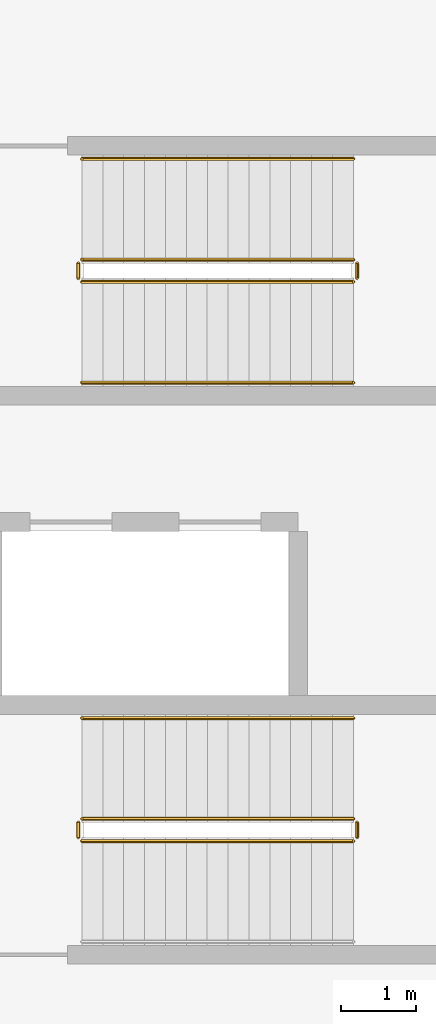
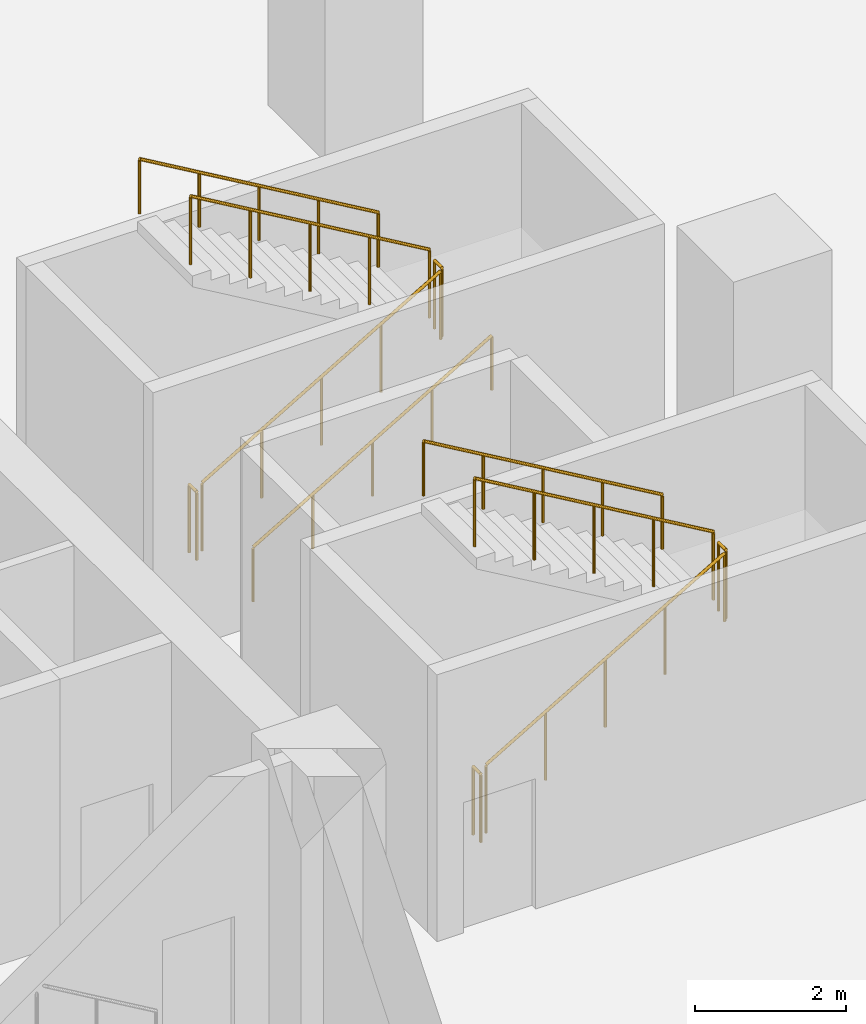
# One storey, part 10 of 11: 11 railings.
"""IFC4 building model written with IfcOpenShell, lengths in metres."""

import ifcopenshell
import ifcopenshell.guid

model = None  # the IFC model being written
_history = None  # IfcOwnerHistory: only IFC2X3 demands one
_inside = {}  # id of a spatial element -> (the spatial element, [elements in it])
_under = {}  # id of a project, library or spatial element -> (it, [spatial elements below it])
_declared = {}  # id of a project -> (the project, [libraries it declares])
_typed = {}  # id of a type object -> (the type object, [elements of that type])
_made_of = {}  # id of a material, layer set ... -> (it, [elements and type objects made of it])


def new_model(schema):
    """Start an empty IFC model of exactly this schema.

    Asked for "IFC4X3", IfcOpenShell would pick the latest addendum, in which some entities
    have other attributes; the version numbers below select the first issue.
    IFC2X3 requires an IfcOwnerHistory on every rooted entity: one is made here for all.
    """
    global model, _history
    if schema == "IFC4X3":
        model = ifcopenshell.file(schema_version=(4, 3, 0, 0))
    else:
        model = ifcopenshell.file(schema=schema)
    _inside.clear()
    _under.clear()
    _declared.clear()
    _typed.clear()
    _made_of.clear()
    _history = None
    if model.schema == "IFC2X3":
        org = make("IfcOrganization", Name="unknown")
        user = make(
            "IfcPersonAndOrganization",
            ThePerson=make("IfcPerson", FamilyName="unknown"),
            TheOrganization=org,
        )
        app = make(
            "IfcApplication",
            ApplicationDeveloper=org,
            Version="unknown",
            ApplicationFullName="unknown",
            ApplicationIdentifier="unknown",
        )
        _history = make(
            "IfcOwnerHistory",
            OwningUser=user,
            OwningApplication=app,
            ChangeAction="ADDED",
            CreationDate=0,
        )
    return model


def make(cls, **values):
    """One entity of the class cls with the attributes given. An attribute that is None is left unset."""
    return model.create_entity(
        cls, **{name: value for name, value in values.items() if value is not None}
    )


def rooted(cls, **values):
    """An entity with a GlobalId (a new one), such as an element, a storey or a relation."""
    return make(cls, GlobalId=ifcopenshell.guid.new(), OwnerHistory=_history, **values)


def si_unit(unit_type, name, prefix=None):
    """IfcSIUnit, for example si_unit("LENGTHUNIT", "METRE", prefix="MILLI")."""
    return make("IfcSIUnit", UnitType=unit_type, Prefix=prefix, Name=name)


def assignment(units):
    """IfcUnitAssignment: the units of a project."""
    return None if units is None else make("IfcUnitAssignment", Units=units)


def point(xyz):
    """IfcCartesianPoint."""
    return None if xyz is None else make("IfcCartesianPoint", Coordinates=xyz)


def direction(xyz):
    """IfcDirection."""
    return None if xyz is None else make("IfcDirection", DirectionRatios=xyz)


def frame(location, z_axis=None, x_axis=None):
    """IfcAxis2Placement3D, a coordinate frame: its origin and axes. An axis left out is left unset."""
    return make(
        "IfcAxis2Placement3D",
        Location=point(location),
        Axis=direction(z_axis),
        RefDirection=direction(x_axis),
    )


def frame_2d(location, x_axis=None):
    """IfcAxis2Placement2D, a coordinate frame in the plane: its origin and x axis."""
    return make(
        "IfcAxis2Placement2D", Location=point(location), RefDirection=direction(x_axis)
    )


def origin():
    """The frame at (0, 0, 0) with its axes left unset."""
    return frame((0.0, 0.0, 0.0))


def origin_2d():
    """The frame at (0, 0) in the plane with its x axis left unset."""
    return frame_2d((0.0, 0.0))


def place(relative_to, where):
    """IfcLocalPlacement: puts the frame where relative to a parent placement (None: the world)."""
    return make(
        "IfcLocalPlacement", PlacementRelTo=relative_to, RelativePlacement=where
    )


def context(
    kind, dimensions, precision=None, world=None, true_north=None, identifier=None
):
    """IfcGeometricRepresentationContext, for example the 3D "Model" context."""
    return make(
        "IfcGeometricRepresentationContext",
        ContextIdentifier=identifier,
        ContextType=kind,
        CoordinateSpaceDimension=dimensions,
        Precision=precision,
        WorldCoordinateSystem=world,
        TrueNorth=true_north,
    )


def subcontext(parent, identifier, kind, view, scale=None):
    """IfcGeometricRepresentationSubContext, for example "Body" below "Model"."""
    return make(
        "IfcGeometricRepresentationSubContext",
        ContextIdentifier=identifier,
        ContextType=kind,
        ParentContext=parent,
        TargetScale=scale,
        TargetView=view,
    )


def project(units=None, contexts=None):
    """IfcProject with its units and contexts."""
    return rooted(
        "IfcProject",
        Name="project",
        RepresentationContexts=contexts,
        UnitsInContext=assignment(units),
    )


def spatial(cls, under=None, at=None, **own):
    """A site, building, storey or space (cls), placed at a placement, below another one or the project."""
    s = rooted(cls, ObjectPlacement=at, **own)
    if under is not None:
        _under.setdefault(under.id(), (under, []))[1].append(s)
    return s


def profile(cls, at=None, kind="AREA", **sizes):
    """A parametric profile (cls). Its sizes go by their IFC names, for example OverallWidth=200.0."""
    return make(cls, ProfileType=kind, Position=at, **sizes)


def circle(**sizes):
    """IfcCircleProfileDef."""
    return profile("IfcCircleProfileDef", **sizes)


def extrude(swept, where, along, depth):
    """IfcExtrudedAreaSolid: the profile swept, set in the frame where, extruded along a direction by depth."""
    return make(
        "IfcExtrudedAreaSolid",
        SweptArea=swept,
        Position=where,
        ExtrudedDirection=direction(along),
        Depth=depth,
    )


def shape(context_of_items, identifier, shape_type, items):
    """IfcShapeRepresentation: the items that make up one representation, for example the "Body"."""
    return make(
        "IfcShapeRepresentation",
        ContextOfItems=context_of_items,
        RepresentationIdentifier=identifier,
        RepresentationType=shape_type,
        Items=items,
    )


def material(Name=None, Category=None):
    """IfcMaterial."""
    return make("IfcMaterial", Name=Name, Category=Category)


def made_of(thing, what):
    """Note that an element or type object is made of a material, layer set ...; save() writes the relation."""
    if what is not None:
        _made_of.setdefault(what.id(), (what, []))[1].append(thing)
    return thing


def type_object(cls, material=None, **own):
    """A type object (cls), such as IfcWallType, which elements share."""
    return made_of(rooted(cls, **own), material)


def element(
    cls,
    number,
    at=None,
    inside=None,
    cuts=None,
    type_object=None,
    material=None,
    context=None,
    identifier="Body",
    shape_type=None,
    held_by="IfcProductDefinitionShape",
    body=None,
    shapes=None,
    **own,
):
    """One element of the class cls, such as IfcWall. Its Tag is "e" and its number.

    at: its placement. inside: the storey or other place that contains it. cuts: it is an
    opening in that element (IfcRelVoidsElement). A single representation is given by context,
    identifier, shape_type and body (its items); several are given by shapes. held_by: the class
    of the entity that holds the representations. save() writes the other relations.
    """
    e = rooted(cls, Tag="e%d" % number, ObjectPlacement=at, **own)
    if body is not None:
        shapes = [shape(context, identifier, shape_type, body)]
    if shapes is not None:
        e.Representation = make(held_by, Representations=shapes)
    if inside is not None:
        _inside.setdefault(inside.id(), (inside, []))[1].append(e)
    if cuts is not None:
        rooted(
            "IfcRelVoidsElement", RelatingBuildingElement=cuts, RelatedOpeningElement=e
        )
    if type_object is not None:
        _typed.setdefault(type_object.id(), (type_object, []))[1].append(e)
    return made_of(e, material)


def aggregate(whole, parts):
    """IfcRelAggregates: a whole, such as a stair, and the parts it consists of."""
    return rooted("IfcRelAggregates", RelatingObject=whole, RelatedObjects=parts)


def save(model, path):
    """Write the relations noted so far, then the file.

    IfcRelAggregates (storeys below a building ...), IfcRelContainedInSpatialStructure (elements
    in a storey), IfcRelDefinesByType, IfcRelAssociatesMaterial and IfcRelDeclares: one each for
    every whole, place, type object, material and project.
    """
    for whole, parts in _under.values():
        aggregate(whole, parts)
    for where, things in _inside.values():
        rooted(
            "IfcRelContainedInSpatialStructure",
            RelatedElements=things,
            RelatingStructure=where,
        )
    for kind, things in _typed.values():
        rooted("IfcRelDefinesByType", RelatedObjects=things, RelatingType=kind)
    for what, things in _made_of.values():
        rooted("IfcRelAssociatesMaterial", RelatedObjects=things, RelatingMaterial=what)
    for by, libraries in _declared.values():
        rooted("IfcRelDeclares", RelatingContext=by, RelatedDefinitions=libraries)
    model.write(path)


model = new_model("IFC4")

# Units and contexts
model_context = context("Model", 3, precision=1e-05, world=origin(), true_north=direction((0.0, 1.0)))
body_context = subcontext(model_context, "Body", "Model", "MODEL_VIEW")
ifc_project = project(units=[si_unit("LENGTHUNIT", "METRE"), si_unit("AREAUNIT", "SQUARE_METRE"), si_unit("VOLUMEUNIT", "CUBIC_METRE"), si_unit("PLANEANGLEUNIT", "RADIAN"), si_unit("MASSUNIT", "GRAM", prefix="KILO")], contexts=[model_context])

# Site, building, storey
site_placement = place(None, origin())
site = spatial("IfcSite", under=ifc_project, at=site_placement, CompositionType="ELEMENT")
building_placement = place(site_placement, origin())
building = spatial("IfcBuilding", under=site, at=building_placement, Name="Solnavia Interchange Tower", CompositionType="ELEMENT")
storey_placement = place(building_placement, frame((0.0, 0.0, 14.800048828125)))
storey = spatial("IfcBuildingStorey", under=building, at=storey_placement, Name="L03", CompositionType="ELEMENT", Elevation=14.800048828125)

# Railings
ifc_material_1 = material(Name="Painted Steel Balustrade", Category="steel")
railing_type_1 = type_object("IfcRailingType", Name="Railing-StairGuard-1100", PredefinedType="GUARDRAIL", material=ifc_material_1)
railing_1_placement = place(storey_placement, frame((36.449951171875, 17.0, 0.164306640625)))
element("IfcRailing", 1, at=railing_1_placement, inside=storey, type_object=railing_type_1, Name="L03 ST-P1 stair guard 1", PredefinedType="GUARDRAIL", context=body_context, shape_type="SweptSolid", body=[
    extrude(circle(Radius=0.02392578125, at=origin_2d()), frame((0.0, 0.0, 1.09619140625), z_axis=(0.862504707072, 0.0, 0.506049039401), x_axis=(0.0, 1.0, 0.0)), (0.0, 0.0, 1.0), 4.220458984375),
    extrude(circle(Radius=0.02099609375, at=origin_2d()), origin(), (0.0, 0.0, 1.0), 1.072021484375),
    extrude(circle(Radius=0.02099609375, at=origin_2d()), frame((0.91015625, 0.0, 0.533935546875)), (0.0, 0.0, 1.0), 1.072021484375),
    extrude(circle(Radius=0.02099609375, at=origin_2d()), frame((1.820068359375, 0.0, 1.06787109375)), (0.0, 0.0, 1.0), 1.072021484375),
    extrude(circle(Radius=0.02099609375, at=origin_2d()), frame((2.72998046875, 0.0, 1.601806640625)), (0.0, 0.0, 1.0), 1.072021484375),
    extrude(circle(Radius=0.02099609375, at=origin_2d()), frame((3.64013671875, 0.0, 2.1357421875)), (0.0, 0.0, 1.0), 1.072021484375),
])
railing_2_placement = place(storey_placement, frame((40.139892578125, 17.050048828125, 2.300048828125)))
element("IfcRailing", 2, at=railing_2_placement, inside=storey, type_object=railing_type_1, Name="L03 ST-P1 stair guard 2", PredefinedType="GUARDRAIL", context=body_context, shape_type="SweptSolid", body=[
    extrude(circle(Radius=0.02392578125, at=origin_2d()), frame((0.0, 0.0, 1.09619140625), z_axis=(0.0, 1.0, 0.0), x_axis=(-1.0, 0.0, 0.0)), (0.0, 0.0, 1.0), 0.199951171875),
    extrude(circle(Radius=0.02099609375, at=origin_2d()), origin(), (0.0, 0.0, 1.0), 1.072021484375),
    extrude(circle(Radius=0.02099609375, at=origin_2d()), frame((0.0, 0.199951171875, 0.0)), (0.0, 0.0, 1.0), 1.072021484375),
])
railing_3_placement = place(storey_placement, frame((40.090087890625, 17.300048828125, 2.46435546875)))
element("IfcRailing", 3, at=railing_3_placement, inside=storey, type_object=railing_type_1, Name="L03 ST-P1 stair guard 3", PredefinedType="GUARDRAIL", context=body_context, shape_type="SweptSolid", body=[
    extrude(circle(Radius=0.02392578125, at=origin_2d()), frame((0.0, 0.0, 1.09619140625), z_axis=(-0.862529955373, 0.0, 0.506006004), x_axis=(0.0, -1.0, 0.0)), (0.0, 0.0, 1.0), 4.22021484375),
    extrude(circle(Radius=0.02099609375, at=origin_2d()), origin(), (0.0, 0.0, 1.0), 1.072021484375),
    extrude(circle(Radius=0.02099609375, at=origin_2d()), frame((-0.91015625, 0.0, 0.533935546875)), (0.0, 0.0, 1.0), 1.072021484375),
    extrude(circle(Radius=0.02099609375, at=origin_2d()), frame((-1.820068359375, 0.0, 1.06787109375)), (0.0, 0.0, 1.0), 1.072021484375),
    extrude(circle(Radius=0.02099609375, at=origin_2d()), frame((-2.72998046875, 0.0, 1.6015625)), (0.0, 0.0, 1.0), 1.072021484375),
    extrude(circle(Radius=0.02099609375, at=origin_2d()), frame((-3.64013671875, 0.0, 2.135498046875)), (0.0, 0.0, 1.0), 1.072021484375),
])
railing_4_placement = place(storey_placement, frame((36.39990234375, 17.050048828125, 0.0)))
element("IfcRailing", 4, at=railing_4_placement, inside=storey, type_object=railing_type_1, Name="L03 ST-P1 stair guard 4", PredefinedType="GUARDRAIL", context=body_context, shape_type="SweptSolid", body=[
    extrude(circle(Radius=0.02392578125, at=origin_2d()), frame((0.0, 0.0, 1.09619140625), z_axis=(0.0, 1.0, 0.0), x_axis=(-1.0, 0.0, 0.0)), (0.0, 0.0, 1.0), 0.199951171875),
    extrude(circle(Radius=0.02099609375, at=origin_2d()), origin(), (0.0, 0.0, 1.0), 1.072021484375),
    extrude(circle(Radius=0.02099609375, at=origin_2d()), frame((0.0, 0.199951171875, 0.0)), (0.0, 0.0, 1.0), 1.072021484375),
])
railing_5_placement = place(storey_placement, frame((36.449951171875, 24.5, 0.164306640625)))
element("IfcRailing", 5, at=railing_5_placement, inside=storey, type_object=railing_type_1, Name="L03 ST-P2 stair guard 1", PredefinedType="GUARDRAIL", context=body_context, shape_type="SweptSolid", body=[
    extrude(circle(Radius=0.02392578125, at=origin_2d()), frame((0.0, 0.0, 1.09619140625), z_axis=(0.862504707072, 0.0, 0.506049039401), x_axis=(0.0, 1.0, 0.0)), (0.0, 0.0, 1.0), 4.220458984375),
    extrude(circle(Radius=0.02099609375, at=origin_2d()), origin(), (0.0, 0.0, 1.0), 1.072021484375),
    extrude(circle(Radius=0.02099609375, at=origin_2d()), frame((0.91015625, 0.0, 0.533935546875)), (0.0, 0.0, 1.0), 1.072021484375),
    extrude(circle(Radius=0.02099609375, at=origin_2d()), frame((1.820068359375, 0.0, 1.06787109375)), (0.0, 0.0, 1.0), 1.072021484375),
    extrude(circle(Radius=0.02099609375, at=origin_2d()), frame((2.72998046875, 0.0, 1.601806640625)), (0.0, 0.0, 1.0), 1.072021484375),
    extrude(circle(Radius=0.02099609375, at=origin_2d()), frame((3.64013671875, 0.0, 2.1357421875)), (0.0, 0.0, 1.0), 1.072021484375),
])
railing_6_placement = place(storey_placement, frame((40.139892578125, 24.550048828125, 2.300048828125)))
element("IfcRailing", 6, at=railing_6_placement, inside=storey, type_object=railing_type_1, Name="L03 ST-P2 stair guard 2", PredefinedType="GUARDRAIL", context=body_context, shape_type="SweptSolid", body=[
    extrude(circle(Radius=0.02392578125, at=origin_2d()), frame((0.0, 0.0, 1.09619140625), z_axis=(0.0, 1.0, 0.0), x_axis=(-1.0, 0.0, 0.0)), (0.0, 0.0, 1.0), 0.199951171875),
    extrude(circle(Radius=0.02099609375, at=origin_2d()), origin(), (0.0, 0.0, 1.0), 1.072021484375),
    extrude(circle(Radius=0.02099609375, at=origin_2d()), frame((0.0, 0.199951171875, 0.0)), (0.0, 0.0, 1.0), 1.072021484375),
])
railing_7_placement = place(storey_placement, frame((40.090087890625, 24.800048828125, 2.46435546875)))
element("IfcRailing", 7, at=railing_7_placement, inside=storey, type_object=railing_type_1, Name="L03 ST-P2 stair guard 3", PredefinedType="GUARDRAIL", context=body_context, shape_type="SweptSolid", body=[
    extrude(circle(Radius=0.02392578125, at=origin_2d()), frame((0.0, 0.0, 1.09619140625), z_axis=(-0.862529955373, 0.0, 0.506006004), x_axis=(0.0, -1.0, 0.0)), (0.0, 0.0, 1.0), 4.22021484375),
    extrude(circle(Radius=0.02099609375, at=origin_2d()), origin(), (0.0, 0.0, 1.0), 1.072021484375),
    extrude(circle(Radius=0.02099609375, at=origin_2d()), frame((-0.91015625, 0.0, 0.533935546875)), (0.0, 0.0, 1.0), 1.072021484375),
    extrude(circle(Radius=0.02099609375, at=origin_2d()), frame((-1.820068359375, 0.0, 1.06787109375)), (0.0, 0.0, 1.0), 1.072021484375),
    extrude(circle(Radius=0.02099609375, at=origin_2d()), frame((-2.72998046875, 0.0, 1.6015625)), (0.0, 0.0, 1.0), 1.072021484375),
    extrude(circle(Radius=0.02099609375, at=origin_2d()), frame((-3.64013671875, 0.0, 2.135498046875)), (0.0, 0.0, 1.0), 1.072021484375),
])
railing_8_placement = place(storey_placement, frame((36.39990234375, 24.550048828125, 0.0)))
element("IfcRailing", 8, at=railing_8_placement, inside=storey, type_object=railing_type_1, Name="L03 ST-P2 stair guard 4", PredefinedType="GUARDRAIL", context=body_context, shape_type="SweptSolid", body=[
    extrude(circle(Radius=0.02392578125, at=origin_2d()), frame((0.0, 0.0, 1.09619140625), z_axis=(0.0, 1.0, 0.0), x_axis=(-1.0, 0.0, 0.0)), (0.0, 0.0, 1.0), 0.199951171875),
    extrude(circle(Radius=0.02099609375, at=origin_2d()), origin(), (0.0, 0.0, 1.0), 1.072021484375),
    extrude(circle(Radius=0.02099609375, at=origin_2d()), frame((0.0, 0.199951171875, 0.0)), (0.0, 0.0, 1.0), 1.072021484375),
])
ifc_material_2 = material(Name="Brushed Stainless Steel", Category="steel")
railing_type_2 = type_object("IfcRailingType", Name="Railing-StairHandrail-900", PredefinedType="HANDRAIL", material=ifc_material_2)
railing_9_placement = place(storey_placement, frame((40.090087890625, 18.64990234375, 2.46435546875)))
element("IfcRailing", 9, at=railing_9_placement, inside=storey, type_object=railing_type_2, Name="L03 ST-P1 stair handrail 2", PredefinedType="HANDRAIL", context=body_context, shape_type="SweptSolid", body=[
    extrude(circle(Radius=0.02392578125, at=origin_2d()), frame((0.0, 0.0, 0.8759765625), z_axis=(-0.862529955373, 0.0, 0.506006004), x_axis=(0.0, -1.0, 0.0)), (0.0, 0.0, 1.0), 4.22021484375),
    extrude(circle(Radius=0.02099609375, at=origin_2d()), origin(), (0.0, 0.0, 1.0), 0.851806640625),
    extrude(circle(Radius=0.02099609375, at=origin_2d()), frame((-0.91015625, 0.0, 0.533935546875)), (0.0, 0.0, 1.0), 0.851806640625),
    extrude(circle(Radius=0.02099609375, at=origin_2d()), frame((-1.820068359375, 0.0, 1.06787109375)), (0.0, 0.0, 1.0), 0.851806640625),
    extrude(circle(Radius=0.02099609375, at=origin_2d()), frame((-2.72998046875, 0.0, 1.6015625)), (0.0, 0.0, 1.0), 0.851806640625),
    extrude(circle(Radius=0.02099609375, at=origin_2d()), frame((-3.64013671875, 0.0, 2.135498046875)), (0.0, 0.0, 1.0), 0.851806640625),
])
railing_10_placement = place(storey_placement, frame((36.449951171875, 23.14990234375, 0.164306640625)))
element("IfcRailing", 10, at=railing_10_placement, inside=storey, type_object=railing_type_2, Name="L03 ST-P2 stair handrail 1", PredefinedType="HANDRAIL", context=body_context, shape_type="SweptSolid", body=[
    extrude(circle(Radius=0.02392578125, at=origin_2d()), frame((0.0, 0.0, 0.8759765625), z_axis=(0.862504707072, 0.0, 0.506049039401), x_axis=(0.0, 1.0, 0.0)), (0.0, 0.0, 1.0), 4.220458984375),
    extrude(circle(Radius=0.02099609375, at=origin_2d()), origin(), (0.0, 0.0, 1.0), 0.851806640625),
    extrude(circle(Radius=0.02099609375, at=origin_2d()), frame((0.91015625, 0.0, 0.533935546875)), (0.0, 0.0, 1.0), 0.851806640625),
    extrude(circle(Radius=0.02099609375, at=origin_2d()), frame((1.820068359375, 0.0, 1.06787109375)), (0.0, 0.0, 1.0), 0.851806640625),
    extrude(circle(Radius=0.02099609375, at=origin_2d()), frame((2.72998046875, 0.0, 1.601806640625)), (0.0, 0.0, 1.0), 0.851806640625),
    extrude(circle(Radius=0.02099609375, at=origin_2d()), frame((3.64013671875, 0.0, 2.1357421875)), (0.0, 0.0, 1.0), 0.851806640625),
])
railing_11_placement = place(storey_placement, frame((40.090087890625, 26.14990234375, 2.46435546875)))
element("IfcRailing", 11, at=railing_11_placement, inside=storey, type_object=railing_type_2, Name="L03 ST-P2 stair handrail 2", PredefinedType="HANDRAIL", context=body_context, shape_type="SweptSolid", body=[
    extrude(circle(Radius=0.02392578125, at=origin_2d()), frame((0.0, 0.0, 0.8759765625), z_axis=(-0.862529955373, 0.0, 0.506006004), x_axis=(0.0, -1.0, 0.0)), (0.0, 0.0, 1.0), 4.22021484375),
    extrude(circle(Radius=0.02099609375, at=origin_2d()), origin(), (0.0, 0.0, 1.0), 0.851806640625),
    extrude(circle(Radius=0.02099609375, at=origin_2d()), frame((-0.91015625, 0.0, 0.533935546875)), (0.0, 0.0, 1.0), 0.851806640625),
    extrude(circle(Radius=0.02099609375, at=origin_2d()), frame((-1.820068359375, 0.0, 1.06787109375)), (0.0, 0.0, 1.0), 0.851806640625),
    extrude(circle(Radius=0.02099609375, at=origin_2d()), frame((-2.72998046875, 0.0, 1.6015625)), (0.0, 0.0, 1.0), 0.851806640625),
    extrude(circle(Radius=0.02099609375, at=origin_2d()), frame((-3.64013671875, 0.0, 2.135498046875)), (0.0, 0.0, 1.0), 0.851806640625),
])

save(model, "model.ifc")
